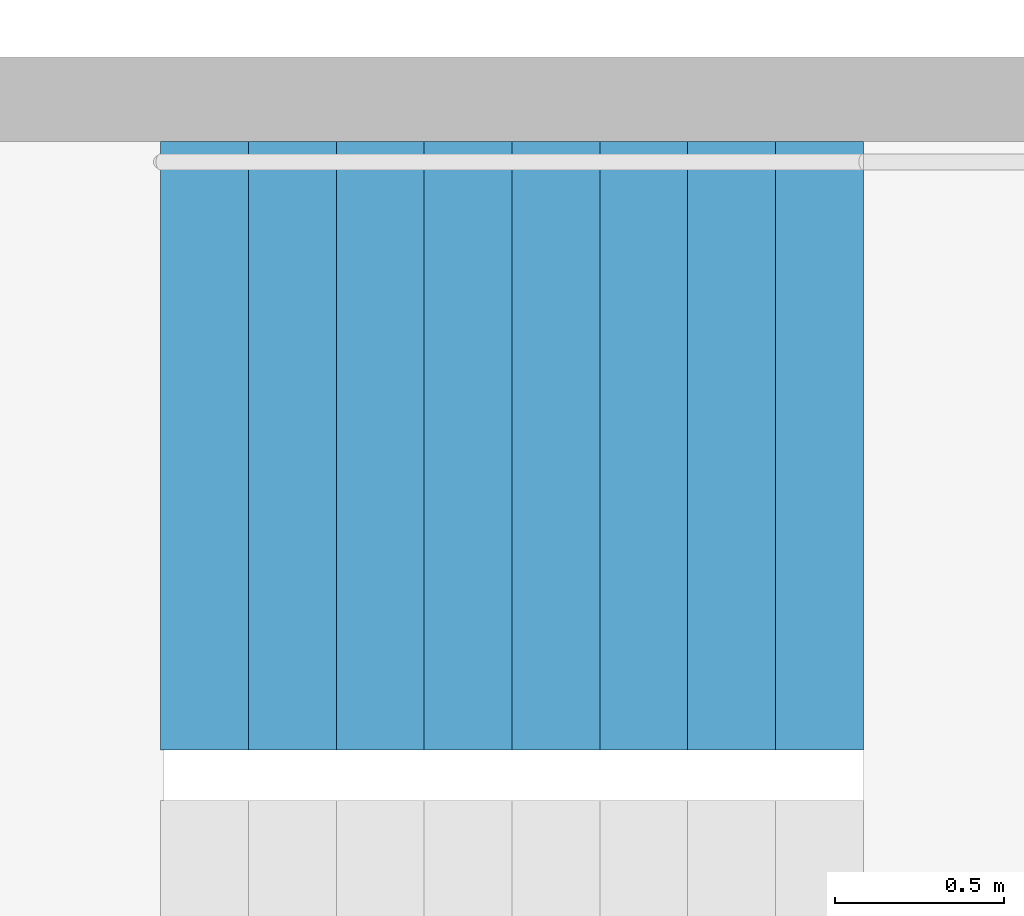
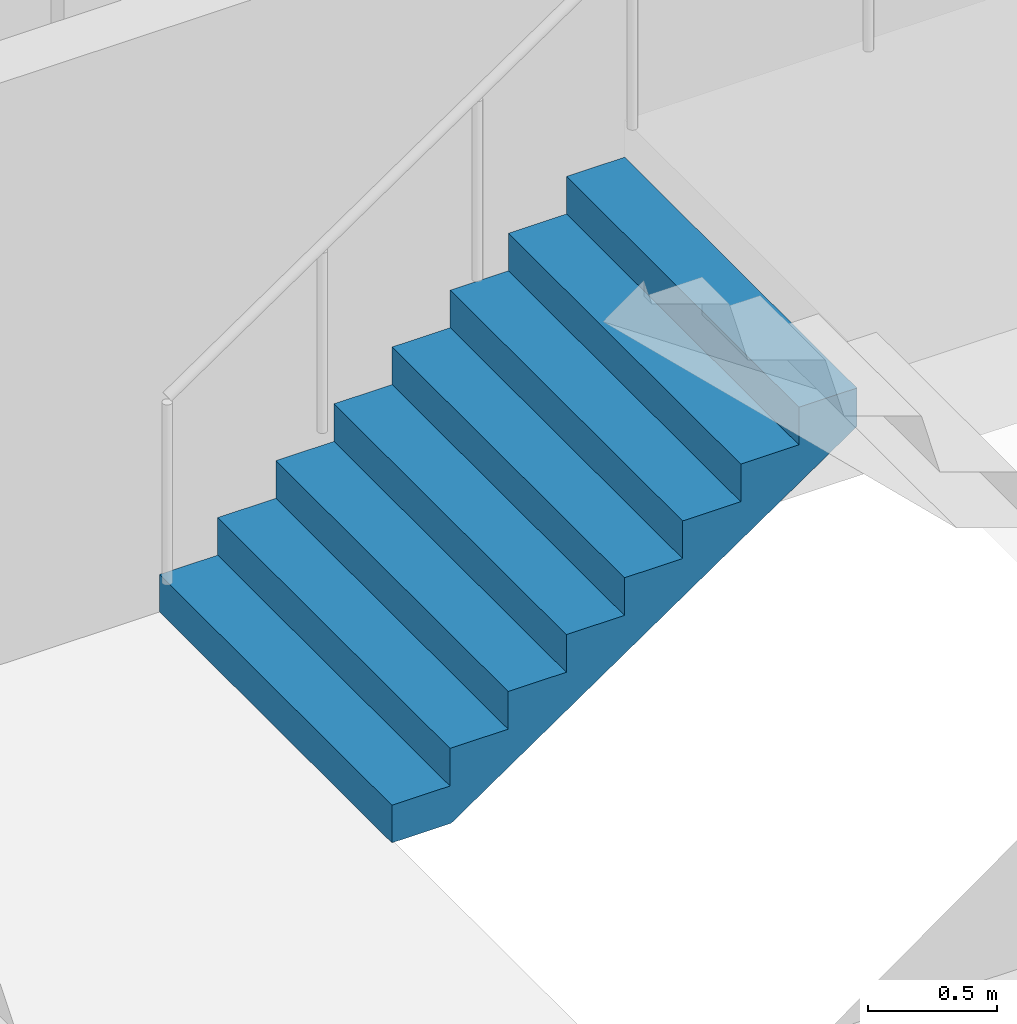
# One storey, part 21 of 29: 1 stair flight, 1 element without a shape of its own.
"""IFC4 building model written with IfcOpenShell, lengths in metres."""

import ifcopenshell
import ifcopenshell.guid

model = None  # the IFC model being written
_history = None  # IfcOwnerHistory: only IFC2X3 demands one
_inside = {}  # id of a spatial element -> (the spatial element, [elements in it])
_under = {}  # id of a project, library or spatial element -> (it, [spatial elements below it])
_declared = {}  # id of a project -> (the project, [libraries it declares])
_typed = {}  # id of a type object -> (the type object, [elements of that type])
_made_of = {}  # id of a material, layer set ... -> (it, [elements and type objects made of it])


def new_model(schema):
    """Start an empty IFC model of exactly this schema.

    Asked for "IFC4X3", IfcOpenShell would pick the latest addendum, in which some entities
    have other attributes; the version numbers below select the first issue.
    IFC2X3 requires an IfcOwnerHistory on every rooted entity: one is made here for all.
    """
    global model, _history
    if schema == "IFC4X3":
        model = ifcopenshell.file(schema_version=(4, 3, 0, 0))
    else:
        model = ifcopenshell.file(schema=schema)
    _inside.clear()
    _under.clear()
    _declared.clear()
    _typed.clear()
    _made_of.clear()
    _history = None
    if model.schema == "IFC2X3":
        org = make("IfcOrganization", Name="unknown")
        user = make(
            "IfcPersonAndOrganization",
            ThePerson=make("IfcPerson", FamilyName="unknown"),
            TheOrganization=org,
        )
        app = make(
            "IfcApplication",
            ApplicationDeveloper=org,
            Version="unknown",
            ApplicationFullName="unknown",
            ApplicationIdentifier="unknown",
        )
        _history = make(
            "IfcOwnerHistory",
            OwningUser=user,
            OwningApplication=app,
            ChangeAction="ADDED",
            CreationDate=0,
        )
    return model


def make(cls, **values):
    """One entity of the class cls with the attributes given. An attribute that is None is left unset."""
    return model.create_entity(
        cls, **{name: value for name, value in values.items() if value is not None}
    )


def rooted(cls, **values):
    """An entity with a GlobalId (a new one), such as an element, a storey or a relation."""
    return make(cls, GlobalId=ifcopenshell.guid.new(), OwnerHistory=_history, **values)


def si_unit(unit_type, name, prefix=None):
    """IfcSIUnit, for example si_unit("LENGTHUNIT", "METRE", prefix="MILLI")."""
    return make("IfcSIUnit", UnitType=unit_type, Prefix=prefix, Name=name)


def assignment(units):
    """IfcUnitAssignment: the units of a project."""
    return None if units is None else make("IfcUnitAssignment", Units=units)


def point(xyz):
    """IfcCartesianPoint."""
    return None if xyz is None else make("IfcCartesianPoint", Coordinates=xyz)


def direction(xyz):
    """IfcDirection."""
    return None if xyz is None else make("IfcDirection", DirectionRatios=xyz)


def frame(location, z_axis=None, x_axis=None):
    """IfcAxis2Placement3D, a coordinate frame: its origin and axes. An axis left out is left unset."""
    return make(
        "IfcAxis2Placement3D",
        Location=point(location),
        Axis=direction(z_axis),
        RefDirection=direction(x_axis),
    )


def origin():
    """The frame at (0, 0, 0) with its axes left unset."""
    return frame((0.0, 0.0, 0.0))


def place(relative_to, where):
    """IfcLocalPlacement: puts the frame where relative to a parent placement (None: the world)."""
    return make(
        "IfcLocalPlacement", PlacementRelTo=relative_to, RelativePlacement=where
    )


def context(
    kind, dimensions, precision=None, world=None, true_north=None, identifier=None
):
    """IfcGeometricRepresentationContext, for example the 3D "Model" context."""
    return make(
        "IfcGeometricRepresentationContext",
        ContextIdentifier=identifier,
        ContextType=kind,
        CoordinateSpaceDimension=dimensions,
        Precision=precision,
        WorldCoordinateSystem=world,
        TrueNorth=true_north,
    )


def subcontext(parent, identifier, kind, view, scale=None):
    """IfcGeometricRepresentationSubContext, for example "Body" below "Model"."""
    return make(
        "IfcGeometricRepresentationSubContext",
        ContextIdentifier=identifier,
        ContextType=kind,
        ParentContext=parent,
        TargetScale=scale,
        TargetView=view,
    )


def project(units=None, contexts=None):
    """IfcProject with its units and contexts."""
    return rooted(
        "IfcProject",
        Name="project",
        RepresentationContexts=contexts,
        UnitsInContext=assignment(units),
    )


def spatial(cls, under=None, at=None, **own):
    """A site, building, storey or space (cls), placed at a placement, below another one or the project."""
    s = rooted(cls, ObjectPlacement=at, **own)
    if under is not None:
        _under.setdefault(under.id(), (under, []))[1].append(s)
    return s


def point_list(points):
    """IfcCartesianPointList2D or 3D."""
    cls = (
        "IfcCartesianPointList2D" if len(points[0]) == 2 else "IfcCartesianPointList3D"
    )
    return make(cls, CoordList=points)


def triangles(points, corners, closed=None, point_numbers=None):
    """IfcTriangulatedFaceSet: each triangle names its three corners, points numbered from 1."""
    return make(
        "IfcTriangulatedFaceSet",
        Coordinates=point_list(points),
        Closed=closed,
        CoordIndex=corners,
        PnIndex=point_numbers,
    )


def shape(context_of_items, identifier, shape_type, items):
    """IfcShapeRepresentation: the items that make up one representation, for example the "Body"."""
    return make(
        "IfcShapeRepresentation",
        ContextOfItems=context_of_items,
        RepresentationIdentifier=identifier,
        RepresentationType=shape_type,
        Items=items,
    )


def material(Name=None, Category=None):
    """IfcMaterial."""
    return make("IfcMaterial", Name=Name, Category=Category)


def made_of(thing, what):
    """Note that an element or type object is made of a material, layer set ...; save() writes the relation."""
    if what is not None:
        _made_of.setdefault(what.id(), (what, []))[1].append(thing)
    return thing


def type_object(cls, material=None, **own):
    """A type object (cls), such as IfcWallType, which elements share."""
    return made_of(rooted(cls, **own), material)


def element(
    cls,
    number,
    at=None,
    inside=None,
    cuts=None,
    type_object=None,
    material=None,
    context=None,
    identifier="Body",
    shape_type=None,
    held_by="IfcProductDefinitionShape",
    body=None,
    shapes=None,
    **own,
):
    """One element of the class cls, such as IfcWall. Its Tag is "e" and its number.

    at: its placement. inside: the storey or other place that contains it. cuts: it is an
    opening in that element (IfcRelVoidsElement). A single representation is given by context,
    identifier, shape_type and body (its items); several are given by shapes. held_by: the class
    of the entity that holds the representations. save() writes the other relations.
    """
    e = rooted(cls, Tag="e%d" % number, ObjectPlacement=at, **own)
    if body is not None:
        shapes = [shape(context, identifier, shape_type, body)]
    if shapes is not None:
        e.Representation = make(held_by, Representations=shapes)
    if inside is not None:
        _inside.setdefault(inside.id(), (inside, []))[1].append(e)
    if cuts is not None:
        rooted(
            "IfcRelVoidsElement", RelatingBuildingElement=cuts, RelatedOpeningElement=e
        )
    if type_object is not None:
        _typed.setdefault(type_object.id(), (type_object, []))[1].append(e)
    return made_of(e, material)


def aggregate(whole, parts):
    """IfcRelAggregates: a whole, such as a stair, and the parts it consists of."""
    return rooted("IfcRelAggregates", RelatingObject=whole, RelatedObjects=parts)


def save(model, path):
    """Write the relations noted so far, then the file.

    IfcRelAggregates (storeys below a building ...), IfcRelContainedInSpatialStructure (elements
    in a storey), IfcRelDefinesByType, IfcRelAssociatesMaterial and IfcRelDeclares: one each for
    every whole, place, type object, material and project.
    """
    for whole, parts in _under.values():
        aggregate(whole, parts)
    for where, things in _inside.values():
        rooted(
            "IfcRelContainedInSpatialStructure",
            RelatedElements=things,
            RelatingStructure=where,
        )
    for kind, things in _typed.values():
        rooted("IfcRelDefinesByType", RelatedObjects=things, RelatingType=kind)
    for what, things in _made_of.values():
        rooted("IfcRelAssociatesMaterial", RelatedObjects=things, RelatingMaterial=what)
    for by, libraries in _declared.values():
        rooted("IfcRelDeclares", RelatingContext=by, RelatedDefinitions=libraries)
    model.write(path)


model = new_model("IFC4")

# Units and contexts
model_context = context("Model", 3, precision=1e-05, world=origin(), true_north=direction((0.0, 1.0)))
body_context = subcontext(model_context, "Body", "Model", "MODEL_VIEW")
ifc_project = project(units=[si_unit("LENGTHUNIT", "METRE"), si_unit("AREAUNIT", "SQUARE_METRE"), si_unit("VOLUMEUNIT", "CUBIC_METRE"), si_unit("PLANEANGLEUNIT", "RADIAN"), si_unit("MASSUNIT", "GRAM", prefix="KILO")], contexts=[model_context])

# Site, building, storey
site_placement = place(None, origin())
site = spatial("IfcSite", under=ifc_project, at=site_placement, CompositionType="ELEMENT")
building_placement = place(site_placement, origin())
building = spatial("IfcBuilding", under=site, at=building_placement, Name="Hakoniwa Tower and Hamabe Station Hall", CompositionType="ELEMENT")
storey_placement = place(building_placement, frame((0.0, 0.0, 163.0)))
storey = spatial("IfcBuildingStorey", under=building, at=storey_placement, Name="L46", CompositionType="ELEMENT", Elevation=163.0)

# Stair, stair flight
ifc_material_1 = material(Name="Concrete C40", Category="concrete")
stair_type = type_object("IfcStairType", Name="ESCAPE STAIR 1800", PredefinedType="HALF_TURN_STAIR", material=ifc_material_1)
stair_placement = place(storey_placement, origin())
stair = element("IfcStair", 1, at=stair_placement, inside=storey, type_object=stair_type, Name="Escape stair ST-4 L46", PredefinedType="HALF_TURN_STAIR")
ifc_material_2 = material(Name="Concrete C40", Category="concrete")
stair_flight_type = type_object("IfcStairFlightType", Name="STAIR FLIGHT 1800", PredefinedType="STRAIGHT", material=ifc_material_2)
stair_flight_placement = place(storey_placement, frame((23.39990234375, -4.64990234375, 0.0), z_axis=(0.0, 0.0, 1.0), x_axis=(1.0, 0.0, 0.0)))
stair_flight = element("IfcStairFlight", 2, at=stair_flight_placement, type_object=stair_flight_type, Name="ST-4 flight 1", NumberOfRisers=9, NumberOfTreads=8, PredefinedType="STRAIGHT", RiserHeight=0.177777778, TreadLength=0.26, context=body_context, shape_type="Tessellation", body=[
    triangles([(0.0, 0.89990234375, 0.0), (0.260009765625, 0.89990234375, 0.0), (0.265625, 0.89990234375, 0.0), (0.52001953125, 0.89990234375, 0.174072265625), (0.780029296875, 0.89990234375, 0.351806640625), (1.0400390625, 0.89990234375, 0.529541015625), (1.300048828125, 0.89990234375, 0.707275390625), (1.56005859375, 0.89990234375, 0.885009765625), (1.820068359375, 0.89990234375, 1.062744140625), (2.080078125, 0.89990234375, 1.24072265625), (2.080078125, 0.89990234375, 1.422119140625), (1.820068359375, 0.89990234375, 1.422119140625), (1.820068359375, 0.89990234375, 1.244384765625), (1.56005859375, 0.89990234375, 1.244384765625), (1.56005859375, 0.89990234375, 1.066650390625), (1.300048828125, 0.89990234375, 1.066650390625), (1.300048828125, 0.89990234375, 0.888916015625), (1.0400390625, 0.89990234375, 0.888916015625), (1.0400390625, 0.89990234375, 0.711181640625), (0.780029296875, 0.89990234375, 0.711181640625), (0.780029296875, 0.89990234375, 0.533447265625), (0.52001953125, 0.89990234375, 0.533447265625), (0.52001953125, 0.89990234375, 0.35546875), (0.265625, 0.89990234375, 0.35546875), (0.260009765625, 0.89990234375, 0.35546875), (0.260009765625, 0.89990234375, 0.177734375), (0.0, 0.89990234375, 0.177734375), (0.0, 0.06005859375, 0.0), (0.260009765625, 0.06005859375, 0.0), (0.265625, 0.06005859375, 0.0), (0.52001953125, 0.06005859375, 0.174072265625), (0.780029296875, 0.06005859375, 0.351806640625), (1.0400390625, 0.06005859375, 0.529541015625), (1.300048828125, 0.06005859375, 0.707275390625), (1.56005859375, 0.06005859375, 0.885009765625), (1.820068359375, 0.06005859375, 1.062744140625), (2.080078125, 0.06005859375, 1.24072265625), (2.080078125, 0.06005859375, 1.422119140625), (1.820068359375, 0.06005859375, 1.422119140625), (1.820068359375, 0.06005859375, 1.244384765625), (1.56005859375, 0.06005859375, 1.244384765625), (1.56005859375, 0.06005859375, 1.066650390625), (1.300048828125, 0.06005859375, 1.066650390625), (1.300048828125, 0.06005859375, 0.888916015625), (1.0400390625, 0.06005859375, 0.888916015625), (1.0400390625, 0.06005859375, 0.711181640625), (0.780029296875, 0.06005859375, 0.711181640625), (0.780029296875, 0.06005859375, 0.533447265625), (0.52001953125, 0.06005859375, 0.533447265625), (0.52001953125, 0.06005859375, 0.35546875), (0.265625, 0.06005859375, 0.35546875), (0.260009765625, 0.06005859375, 0.35546875), (0.260009765625, 0.06005859375, 0.177734375), (0.0, 0.06005859375, 0.177734375), (0.0, 0.04296875, 0.0), (0.260009765625, 0.04296875, 0.0), (0.265625, 0.04296875, 0.0), (0.52001953125, 0.04296875, 0.174072265625), (0.780029296875, 0.04296875, 0.351806640625), (1.0400390625, 0.04296875, 0.529541015625), (1.300048828125, 0.04296875, 0.707275390625), (1.56005859375, 0.04296875, 0.885009765625), (1.820068359375, 0.04296875, 1.062744140625), (2.080078125, 0.04296875, 1.24072265625), (2.080078125, 0.04296875, 1.422119140625), (1.820068359375, 0.04296875, 1.422119140625), (1.820068359375, 0.04296875, 1.244384765625), (1.56005859375, 0.04296875, 1.244384765625), (1.56005859375, 0.04296875, 1.066650390625), (1.300048828125, 0.04296875, 1.066650390625), (1.300048828125, 0.04296875, 0.888916015625), (1.0400390625, 0.04296875, 0.888916015625), (1.0400390625, 0.04296875, 0.711181640625), (0.780029296875, 0.04296875, 0.711181640625), (0.780029296875, 0.04296875, 0.533447265625), (0.52001953125, 0.04296875, 0.533447265625), (0.52001953125, 0.04296875, 0.35546875), (0.265625, 0.04296875, 0.35546875), (0.260009765625, 0.04296875, 0.35546875), (0.260009765625, 0.04296875, 0.177734375), (0.0, 0.04296875, 0.177734375), (0.0, 0.025634765625, 0.0), (0.260009765625, 0.025634765625, 0.0), (0.265625, 0.025634765625, 0.0), (0.52001953125, 0.025634765625, 0.174072265625), (0.780029296875, 0.025634765625, 0.351806640625), (1.0400390625, 0.025634765625, 0.529541015625), (1.300048828125, 0.025634765625, 0.707275390625), (1.56005859375, 0.025634765625, 0.885009765625), (1.820068359375, 0.025634765625, 1.062744140625), (2.080078125, 0.025634765625, 1.24072265625), (2.080078125, 0.025634765625, 1.422119140625), (1.820068359375, 0.025634765625, 1.422119140625), (1.820068359375, 0.025634765625, 1.244384765625), (1.56005859375, 0.025634765625, 1.244384765625), (1.56005859375, 0.025634765625, 1.066650390625), (1.300048828125, 0.025634765625, 1.066650390625), (1.300048828125, 0.025634765625, 0.888916015625), (1.0400390625, 0.025634765625, 0.888916015625), (1.0400390625, 0.025634765625, 0.711181640625), (0.780029296875, 0.025634765625, 0.711181640625), (0.780029296875, 0.025634765625, 0.533447265625), (0.52001953125, 0.025634765625, 0.533447265625), (0.52001953125, 0.025634765625, 0.35546875), (0.265625, 0.025634765625, 0.35546875), (0.260009765625, 0.025634765625, 0.35546875), (0.260009765625, 0.025634765625, 0.177734375), (0.0, 0.025634765625, 0.177734375), (0.0, 0.008544921875, 0.0), (0.260009765625, 0.008544921875, 0.0), (0.265625, 0.008544921875, 0.0), (0.52001953125, 0.008544921875, 0.174072265625), (0.780029296875, 0.008544921875, 0.351806640625), (1.0400390625, 0.008544921875, 0.529541015625), (1.300048828125, 0.008544921875, 0.707275390625), (1.56005859375, 0.008544921875, 0.885009765625), (1.820068359375, 0.008544921875, 1.062744140625), (2.080078125, 0.008544921875, 1.24072265625), (2.080078125, 0.008544921875, 1.422119140625), (1.820068359375, 0.008544921875, 1.422119140625), (1.820068359375, 0.008544921875, 1.244384765625), (1.56005859375, 0.008544921875, 1.244384765625), (1.56005859375, 0.008544921875, 1.066650390625), (1.300048828125, 0.008544921875, 1.066650390625), (1.300048828125, 0.008544921875, 0.888916015625), (1.0400390625, 0.008544921875, 0.888916015625), (1.0400390625, 0.008544921875, 0.711181640625), (0.780029296875, 0.008544921875, 0.711181640625), (0.780029296875, 0.008544921875, 0.533447265625), (0.52001953125, 0.008544921875, 0.533447265625), (0.52001953125, 0.008544921875, 0.35546875), (0.265625, 0.008544921875, 0.35546875), (0.260009765625, 0.008544921875, 0.35546875), (0.260009765625, 0.008544921875, 0.177734375), (0.0, 0.008544921875, 0.177734375), (0.0, -0.008544921875, 0.0), (0.260009765625, -0.008544921875, 0.0), (0.265625, -0.008544921875, 0.0), (0.52001953125, -0.008544921875, 0.174072265625), (0.780029296875, -0.008544921875, 0.351806640625), (1.0400390625, -0.008544921875, 0.529541015625), (1.300048828125, -0.008544921875, 0.707275390625), (1.56005859375, -0.008544921875, 0.885009765625), (1.820068359375, -0.008544921875, 1.062744140625), (2.080078125, -0.008544921875, 1.24072265625), (2.080078125, -0.008544921875, 1.422119140625), (1.820068359375, -0.008544921875, 1.422119140625), (1.820068359375, -0.008544921875, 1.244384765625), (1.56005859375, -0.008544921875, 1.244384765625), (1.56005859375, -0.008544921875, 1.066650390625), (1.300048828125, -0.008544921875, 1.066650390625), (1.300048828125, -0.008544921875, 0.888916015625), (1.0400390625, -0.008544921875, 0.888916015625), (1.0400390625, -0.008544921875, 0.711181640625), (0.780029296875, -0.008544921875, 0.711181640625), (0.780029296875, -0.008544921875, 0.533447265625), (0.52001953125, -0.008544921875, 0.533447265625), (0.52001953125, -0.008544921875, 0.35546875), (0.265625, -0.008544921875, 0.35546875), (0.260009765625, -0.008544921875, 0.35546875), (0.260009765625, -0.008544921875, 0.177734375), (0.0, -0.008544921875, 0.177734375), (0.0, -0.025634765625, 0.0), (0.260009765625, -0.025634765625, 0.0), (0.265625, -0.025634765625, 0.0), (0.52001953125, -0.025634765625, 0.174072265625), (0.780029296875, -0.025634765625, 0.351806640625), (1.0400390625, -0.025634765625, 0.529541015625), (1.300048828125, -0.025634765625, 0.707275390625), (1.56005859375, -0.025634765625, 0.885009765625), (1.820068359375, -0.025634765625, 1.062744140625), (2.080078125, -0.025634765625, 1.24072265625), (2.080078125, -0.025634765625, 1.422119140625), (1.820068359375, -0.025634765625, 1.422119140625), (1.820068359375, -0.025634765625, 1.244384765625), (1.56005859375, -0.025634765625, 1.244384765625), (1.56005859375, -0.025634765625, 1.066650390625), (1.300048828125, -0.025634765625, 1.066650390625), (1.300048828125, -0.025634765625, 0.888916015625), (1.0400390625, -0.025634765625, 0.888916015625), (1.0400390625, -0.025634765625, 0.711181640625), (0.780029296875, -0.025634765625, 0.711181640625), (0.780029296875, -0.025634765625, 0.533447265625), (0.52001953125, -0.025634765625, 0.533447265625), (0.52001953125, -0.025634765625, 0.35546875), (0.265625, -0.025634765625, 0.35546875), (0.260009765625, -0.025634765625, 0.35546875), (0.260009765625, -0.025634765625, 0.177734375), (0.0, -0.025634765625, 0.177734375), (0.0, -0.04296875, 0.0), (0.260009765625, -0.04296875, 0.0), (0.265625, -0.04296875, 0.0), (0.52001953125, -0.04296875, 0.174072265625), (0.780029296875, -0.04296875, 0.351806640625), (1.0400390625, -0.04296875, 0.529541015625), (1.300048828125, -0.04296875, 0.707275390625), (1.56005859375, -0.04296875, 0.885009765625), (1.820068359375, -0.04296875, 1.062744140625), (2.080078125, -0.04296875, 1.24072265625), (2.080078125, -0.04296875, 1.422119140625), (1.820068359375, -0.04296875, 1.422119140625), (1.820068359375, -0.04296875, 1.244384765625), (1.56005859375, -0.04296875, 1.244384765625), (1.56005859375, -0.04296875, 1.066650390625), (1.300048828125, -0.04296875, 1.066650390625), (1.300048828125, -0.04296875, 0.888916015625), (1.0400390625, -0.04296875, 0.888916015625), (1.0400390625, -0.04296875, 0.711181640625), (0.780029296875, -0.04296875, 0.711181640625), (0.780029296875, -0.04296875, 0.533447265625), (0.52001953125, -0.04296875, 0.533447265625), (0.52001953125, -0.04296875, 0.35546875), (0.265625, -0.04296875, 0.35546875), (0.260009765625, -0.04296875, 0.35546875), (0.260009765625, -0.04296875, 0.177734375), (0.0, -0.04296875, 0.177734375), (0.0, -0.06005859375, 0.0), (0.260009765625, -0.06005859375, 0.0), (0.265625, -0.06005859375, 0.0), (0.52001953125, -0.06005859375, 0.174072265625), (0.780029296875, -0.06005859375, 0.351806640625), (1.0400390625, -0.06005859375, 0.529541015625), (1.300048828125, -0.06005859375, 0.707275390625), (1.56005859375, -0.06005859375, 0.885009765625), (1.820068359375, -0.06005859375, 1.062744140625), (2.080078125, -0.06005859375, 1.24072265625), (2.080078125, -0.06005859375, 1.422119140625), (1.820068359375, -0.06005859375, 1.422119140625), (1.820068359375, -0.06005859375, 1.244384765625), (1.56005859375, -0.06005859375, 1.244384765625), (1.56005859375, -0.06005859375, 1.066650390625), (1.300048828125, -0.06005859375, 1.066650390625), (1.300048828125, -0.06005859375, 0.888916015625), (1.0400390625, -0.06005859375, 0.888916015625), (1.0400390625, -0.06005859375, 0.711181640625), (0.780029296875, -0.06005859375, 0.711181640625), (0.780029296875, -0.06005859375, 0.533447265625), (0.52001953125, -0.06005859375, 0.533447265625), (0.52001953125, -0.06005859375, 0.35546875), (0.265625, -0.06005859375, 0.35546875), (0.260009765625, -0.06005859375, 0.35546875), (0.260009765625, -0.06005859375, 0.177734375), (0.0, -0.06005859375, 0.177734375), (0.0, -0.89990234375, 0.0), (0.260009765625, -0.89990234375, 0.0), (0.265625, -0.89990234375, 0.0), (0.52001953125, -0.89990234375, 0.174072265625), (0.780029296875, -0.89990234375, 0.351806640625), (1.0400390625, -0.89990234375, 0.529541015625), (1.300048828125, -0.89990234375, 0.707275390625), (1.56005859375, -0.89990234375, 0.885009765625), (1.820068359375, -0.89990234375, 1.062744140625), (2.080078125, -0.89990234375, 1.24072265625), (2.080078125, -0.89990234375, 1.422119140625), (1.820068359375, -0.89990234375, 1.422119140625), (1.820068359375, -0.89990234375, 1.244384765625), (1.56005859375, -0.89990234375, 1.244384765625), (1.56005859375, -0.89990234375, 1.066650390625), (1.300048828125, -0.89990234375, 1.066650390625), (1.300048828125, -0.89990234375, 0.888916015625), (1.0400390625, -0.89990234375, 0.888916015625), (1.0400390625, -0.89990234375, 0.711181640625), (0.780029296875, -0.89990234375, 0.711181640625), (0.780029296875, -0.89990234375, 0.533447265625), (0.52001953125, -0.89990234375, 0.533447265625), (0.52001953125, -0.89990234375, 0.35546875), (0.265625, -0.89990234375, 0.35546875), (0.260009765625, -0.89990234375, 0.35546875), (0.260009765625, -0.89990234375, 0.177734375), (0.0, -0.89990234375, 0.177734375)], [[2, 27, 26], [245, 269, 270], [2, 1, 27], [245, 270, 244], [3, 25, 24], [246, 267, 268], [3, 26, 25], [246, 268, 269], [3, 2, 26], [246, 269, 245], [4, 24, 23], [247, 266, 267], [4, 3, 24], [247, 267, 246], [5, 22, 21], [248, 264, 265], [5, 23, 22], [248, 265, 266], [5, 4, 23], [248, 266, 247], [6, 20, 19], [249, 262, 263], [6, 21, 20], [249, 263, 264], [6, 5, 21], [249, 264, 248], [7, 18, 17], [250, 260, 261], [7, 19, 18], [250, 261, 262], [7, 6, 19], [250, 262, 249], [8, 16, 15], [251, 258, 259], [8, 17, 16], [251, 259, 260], [8, 7, 17], [251, 260, 250], [9, 14, 13], [252, 256, 257], [9, 15, 14], [252, 257, 258], [9, 8, 15], [252, 258, 251], [10, 12, 11], [253, 254, 255], [10, 13, 12], [253, 255, 256], [10, 9, 13], [253, 256, 252], [1, 2, 29], [1, 29, 28], [28, 29, 56], [28, 56, 55], [55, 56, 83], [55, 83, 82], [82, 83, 110], [82, 110, 109], [109, 110, 137], [109, 137, 136], [136, 137, 164], [136, 164, 163], [163, 164, 191], [163, 191, 190], [190, 191, 218], [190, 218, 217], [217, 218, 245], [217, 245, 244], [2, 3, 30], [2, 30, 29], [29, 30, 57], [29, 57, 56], [56, 57, 84], [56, 84, 83], [83, 84, 111], [83, 111, 110], [110, 111, 138], [110, 138, 137], [137, 138, 165], [137, 165, 164], [164, 165, 192], [164, 192, 191], [191, 192, 219], [191, 219, 218], [218, 219, 246], [218, 246, 245], [3, 4, 31], [3, 31, 30], [30, 31, 58], [30, 58, 57], [57, 58, 85], [57, 85, 84], [84, 85, 112], [84, 112, 111], [111, 112, 139], [111, 139, 138], [138, 139, 166], [138, 166, 165], [165, 166, 193], [165, 193, 192], [192, 193, 220], [192, 220, 219], [219, 220, 247], [219, 247, 246], [4, 5, 32], [4, 32, 31], [31, 32, 59], [31, 59, 58], [58, 59, 86], [58, 86, 85], [85, 86, 113], [85, 113, 112], [112, 113, 140], [112, 140, 139], [139, 140, 167], [139, 167, 166], [166, 167, 194], [166, 194, 193], [193, 194, 221], [193, 221, 220], [220, 221, 248], [220, 248, 247], [5, 6, 33], [5, 33, 32], [32, 33, 60], [32, 60, 59], [59, 60, 87], [59, 87, 86], [86, 87, 114], [86, 114, 113], [113, 114, 141], [113, 141, 140], [140, 141, 168], [140, 168, 167], [167, 168, 195], [167, 195, 194], [194, 195, 222], [194, 222, 221], [221, 222, 249], [221, 249, 248], [6, 7, 34], [6, 34, 33], [33, 34, 61], [33, 61, 60], [60, 61, 88], [60, 88, 87], [87, 88, 115], [87, 115, 114], [114, 115, 142], [114, 142, 141], [141, 142, 169], [141, 169, 168], [168, 169, 196], [168, 196, 195], [195, 196, 223], [195, 223, 222], [222, 223, 250], [222, 250, 249], [7, 8, 35], [7, 35, 34], [34, 35, 62], [34, 62, 61], [61, 62, 89], [61, 89, 88], [88, 89, 116], [88, 116, 115], [115, 116, 143], [115, 143, 142], [142, 143, 170], [142, 170, 169], [169, 170, 197], [169, 197, 196], [196, 197, 224], [196, 224, 223], [223, 224, 251], [223, 251, 250], [8, 9, 36], [8, 36, 35], [35, 36, 63], [35, 63, 62], [62, 63, 90], [62, 90, 89], [89, 90, 117], [89, 117, 116], [116, 117, 144], [116, 144, 143], [143, 144, 171], [143, 171, 170], [170, 171, 198], [170, 198, 197], [197, 198, 225], [197, 225, 224], [224, 225, 252], [224, 252, 251], [9, 10, 37], [9, 37, 36], [36, 37, 64], [36, 64, 63], [63, 64, 91], [63, 91, 90], [90, 91, 118], [90, 118, 117], [117, 118, 145], [117, 145, 144], [144, 145, 172], [144, 172, 171], [171, 172, 199], [171, 199, 198], [198, 199, 226], [198, 226, 225], [225, 226, 253], [225, 253, 252], [10, 11, 38], [10, 38, 37], [37, 38, 65], [37, 65, 64], [64, 65, 92], [64, 92, 91], [91, 92, 119], [91, 119, 118], [118, 119, 146], [118, 146, 145], [145, 146, 173], [145, 173, 172], [172, 173, 200], [172, 200, 199], [199, 200, 227], [199, 227, 226], [226, 227, 254], [226, 254, 253], [11, 12, 39], [11, 39, 38], [38, 39, 66], [38, 66, 65], [65, 66, 93], [65, 93, 92], [92, 93, 120], [92, 120, 119], [119, 120, 147], [119, 147, 146], [146, 147, 174], [146, 174, 173], [173, 174, 201], [173, 201, 200], [200, 201, 228], [200, 228, 227], [227, 228, 255], [227, 255, 254], [12, 13, 40], [12, 40, 39], [39, 40, 67], [39, 67, 66], [66, 67, 94], [66, 94, 93], [93, 94, 121], [93, 121, 120], [120, 121, 148], [120, 148, 147], [147, 148, 175], [147, 175, 174], [174, 175, 202], [174, 202, 201], [201, 202, 229], [201, 229, 228], [228, 229, 256], [228, 256, 255], [13, 14, 41], [13, 41, 40], [40, 41, 68], [40, 68, 67], [67, 68, 95], [67, 95, 94], [94, 95, 122], [94, 122, 121], [121, 122, 149], [121, 149, 148], [148, 149, 176], [148, 176, 175], [175, 176, 203], [175, 203, 202], [202, 203, 230], [202, 230, 229], [229, 230, 257], [229, 257, 256], [14, 15, 42], [14, 42, 41], [41, 42, 69], [41, 69, 68], [68, 69, 96], [68, 96, 95], [95, 96, 123], [95, 123, 122], [122, 123, 150], [122, 150, 149], [149, 150, 177], [149, 177, 176], [176, 177, 204], [176, 204, 203], [203, 204, 231], [203, 231, 230], [230, 231, 258], [230, 258, 257], [15, 16, 43], [15, 43, 42], [42, 43, 70], [42, 70, 69], [69, 70, 97], [69, 97, 96], [96, 97, 124], [96, 124, 123], [123, 124, 151], [123, 151, 150], [150, 151, 178], [150, 178, 177], [177, 178, 205], [177, 205, 204], [204, 205, 232], [204, 232, 231], [231, 232, 259], [231, 259, 258], [16, 17, 44], [16, 44, 43], [43, 44, 71], [43, 71, 70], [70, 71, 98], [70, 98, 97], [97, 98, 125], [97, 125, 124], [124, 125, 152], [124, 152, 151], [151, 152, 179], [151, 179, 178], [178, 179, 206], [178, 206, 205], [205, 206, 233], [205, 233, 232], [232, 233, 260], [232, 260, 259], [17, 18, 45], [17, 45, 44], [44, 45, 72], [44, 72, 71], [71, 72, 99], [71, 99, 98], [98, 99, 126], [98, 126, 125], [125, 126, 153], [125, 153, 152], [152, 153, 180], [152, 180, 179], [179, 180, 207], [179, 207, 206], [206, 207, 234], [206, 234, 233], [233, 234, 261], [233, 261, 260], [18, 19, 46], [18, 46, 45], [45, 46, 73], [45, 73, 72], [72, 73, 100], [72, 100, 99], [99, 100, 127], [99, 127, 126], [126, 127, 154], [126, 154, 153], [153, 154, 181], [153, 181, 180], [180, 181, 208], [180, 208, 207], [207, 208, 235], [207, 235, 234], [234, 235, 262], [234, 262, 261], [19, 20, 47], [19, 47, 46], [46, 47, 74], [46, 74, 73], [73, 74, 101], [73, 101, 100], [100, 101, 128], [100, 128, 127], [127, 128, 155], [127, 155, 154], [154, 155, 182], [154, 182, 181], [181, 182, 209], [181, 209, 208], [208, 209, 236], [208, 236, 235], [235, 236, 263], [235, 263, 262], [20, 21, 48], [20, 48, 47], [47, 48, 75], [47, 75, 74], [74, 75, 102], [74, 102, 101], [101, 102, 129], [101, 129, 128], [128, 129, 156], [128, 156, 155], [155, 156, 183], [155, 183, 182], [182, 183, 210], [182, 210, 209], [209, 210, 237], [209, 237, 236], [236, 237, 264], [236, 264, 263], [21, 22, 49], [21, 49, 48], [48, 49, 76], [48, 76, 75], [75, 76, 103], [75, 103, 102], [102, 103, 130], [102, 130, 129], [129, 130, 157], [129, 157, 156], [156, 157, 184], [156, 184, 183], [183, 184, 211], [183, 211, 210], [210, 211, 238], [210, 238, 237], [237, 238, 265], [237, 265, 264], [22, 23, 50], [22, 50, 49], [49, 50, 77], [49, 77, 76], [76, 77, 104], [76, 104, 103], [103, 104, 131], [103, 131, 130], [130, 131, 158], [130, 158, 157], [157, 158, 185], [157, 185, 184], [184, 185, 212], [184, 212, 211], [211, 212, 239], [211, 239, 238], [238, 239, 266], [238, 266, 265], [23, 24, 51], [23, 51, 50], [50, 51, 78], [50, 78, 77], [77, 78, 105], [77, 105, 104], [104, 105, 132], [104, 132, 131], [131, 132, 159], [131, 159, 158], [158, 159, 186], [158, 186, 185], [185, 186, 213], [185, 213, 212], [212, 213, 240], [212, 240, 239], [239, 240, 267], [239, 267, 266], [24, 25, 52], [24, 52, 51], [51, 52, 79], [51, 79, 78], [78, 79, 106], [78, 106, 105], [105, 106, 133], [105, 133, 132], [132, 133, 160], [132, 160, 159], [159, 160, 187], [159, 187, 186], [186, 187, 214], [186, 214, 213], [213, 214, 241], [213, 241, 240], [240, 241, 268], [240, 268, 267], [25, 26, 53], [25, 53, 52], [52, 53, 80], [52, 80, 79], [79, 80, 107], [79, 107, 106], [106, 107, 134], [106, 134, 133], [133, 134, 161], [133, 161, 160], [160, 161, 188], [160, 188, 187], [187, 188, 215], [187, 215, 214], [214, 215, 242], [214, 242, 241], [241, 242, 269], [241, 269, 268], [26, 27, 54], [26, 54, 53], [53, 54, 81], [53, 81, 80], [80, 81, 108], [80, 108, 107], [107, 108, 135], [107, 135, 134], [134, 135, 162], [134, 162, 161], [161, 162, 189], [161, 189, 188], [188, 189, 216], [188, 216, 215], [215, 216, 243], [215, 243, 242], [242, 243, 270], [242, 270, 269], [27, 1, 28], [27, 28, 54], [54, 28, 55], [54, 55, 81], [81, 55, 82], [81, 82, 108], [108, 82, 109], [108, 109, 135], [135, 109, 136], [135, 136, 162], [162, 136, 163], [162, 163, 189], [189, 163, 190], [189, 190, 216], [216, 190, 217], [216, 217, 243], [243, 217, 244], [243, 244, 270]], closed=True),
])
aggregate(stair, [stair_flight])

save(model, "model.ifc")
